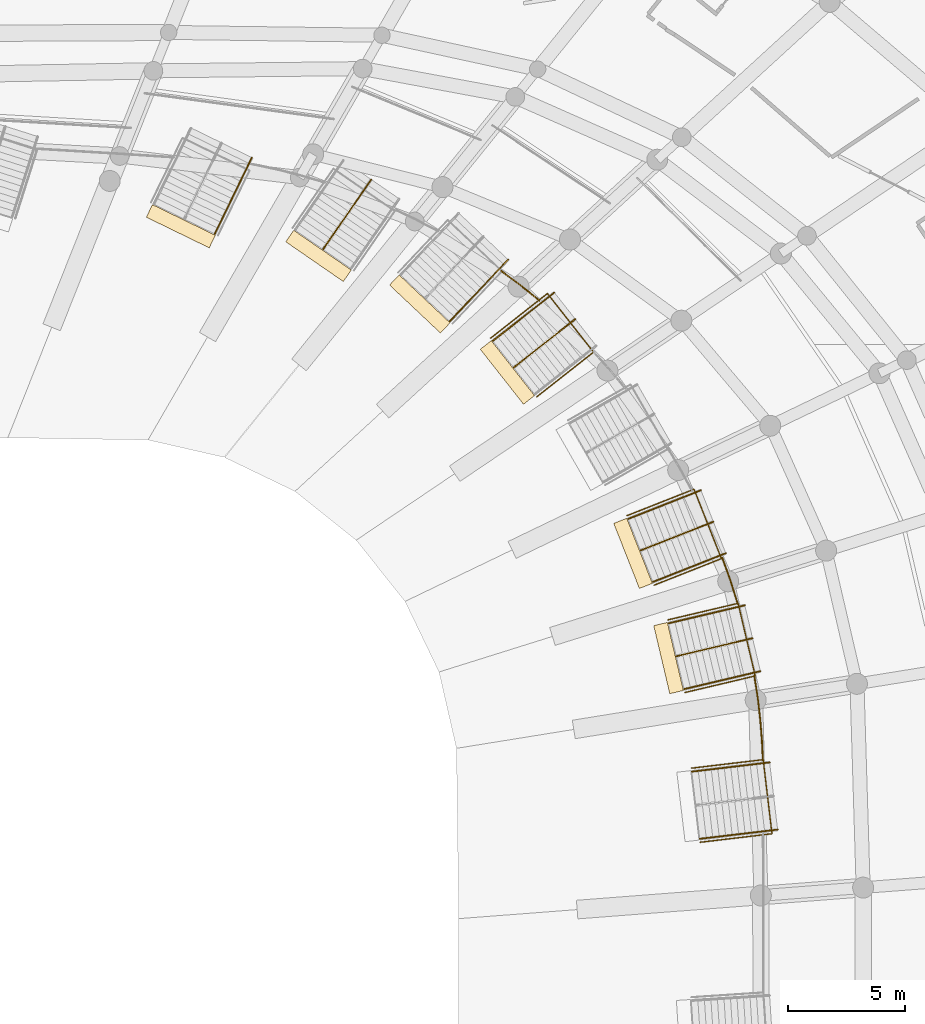
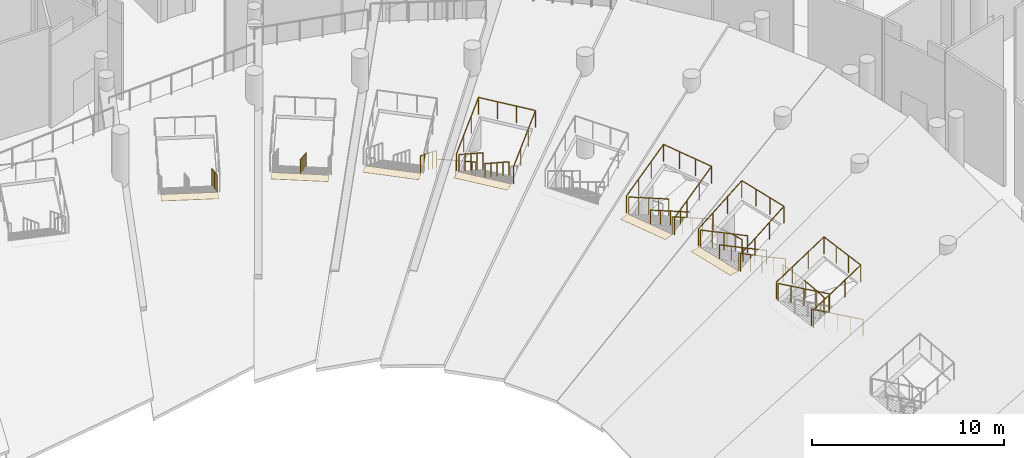
# One storey, part 240 of 255: 20 railings, 6 coverings.
"""IFC4 building model written with IfcOpenShell, lengths in metres."""

import ifcopenshell
import ifcopenshell.guid

model = None  # the IFC model being written
_history = None  # IfcOwnerHistory: only IFC2X3 demands one
_inside = {}  # id of a spatial element -> (the spatial element, [elements in it])
_under = {}  # id of a project, library or spatial element -> (it, [spatial elements below it])
_declared = {}  # id of a project -> (the project, [libraries it declares])
_typed = {}  # id of a type object -> (the type object, [elements of that type])
_made_of = {}  # id of a material, layer set ... -> (it, [elements and type objects made of it])


def new_model(schema):
    """Start an empty IFC model of exactly this schema.

    Asked for "IFC4X3", IfcOpenShell would pick the latest addendum, in which some entities
    have other attributes; the version numbers below select the first issue.
    IFC2X3 requires an IfcOwnerHistory on every rooted entity: one is made here for all.
    """
    global model, _history
    if schema == "IFC4X3":
        model = ifcopenshell.file(schema_version=(4, 3, 0, 0))
    else:
        model = ifcopenshell.file(schema=schema)
    _inside.clear()
    _under.clear()
    _declared.clear()
    _typed.clear()
    _made_of.clear()
    _history = None
    if model.schema == "IFC2X3":
        org = make("IfcOrganization", Name="unknown")
        user = make(
            "IfcPersonAndOrganization",
            ThePerson=make("IfcPerson", FamilyName="unknown"),
            TheOrganization=org,
        )
        app = make(
            "IfcApplication",
            ApplicationDeveloper=org,
            Version="unknown",
            ApplicationFullName="unknown",
            ApplicationIdentifier="unknown",
        )
        _history = make(
            "IfcOwnerHistory",
            OwningUser=user,
            OwningApplication=app,
            ChangeAction="ADDED",
            CreationDate=0,
        )
    return model


def make(cls, **values):
    """One entity of the class cls with the attributes given. An attribute that is None is left unset."""
    return model.create_entity(
        cls, **{name: value for name, value in values.items() if value is not None}
    )


def rooted(cls, **values):
    """An entity with a GlobalId (a new one), such as an element, a storey or a relation."""
    return make(cls, GlobalId=ifcopenshell.guid.new(), OwnerHistory=_history, **values)


def si_unit(unit_type, name, prefix=None):
    """IfcSIUnit, for example si_unit("LENGTHUNIT", "METRE", prefix="MILLI")."""
    return make("IfcSIUnit", UnitType=unit_type, Prefix=prefix, Name=name)


def assignment(units):
    """IfcUnitAssignment: the units of a project."""
    return None if units is None else make("IfcUnitAssignment", Units=units)


def point(xyz):
    """IfcCartesianPoint."""
    return None if xyz is None else make("IfcCartesianPoint", Coordinates=xyz)


def direction(xyz):
    """IfcDirection."""
    return None if xyz is None else make("IfcDirection", DirectionRatios=xyz)


def frame(location, z_axis=None, x_axis=None):
    """IfcAxis2Placement3D, a coordinate frame: its origin and axes. An axis left out is left unset."""
    return make(
        "IfcAxis2Placement3D",
        Location=point(location),
        Axis=direction(z_axis),
        RefDirection=direction(x_axis),
    )


def frame_2d(location, x_axis=None):
    """IfcAxis2Placement2D, a coordinate frame in the plane: its origin and x axis."""
    return make(
        "IfcAxis2Placement2D", Location=point(location), RefDirection=direction(x_axis)
    )


def origin():
    """The frame at (0, 0, 0) with its axes left unset."""
    return frame((0.0, 0.0, 0.0))


def origin_2d():
    """The frame at (0, 0) in the plane with its x axis left unset."""
    return frame_2d((0.0, 0.0))


def place(relative_to, where):
    """IfcLocalPlacement: puts the frame where relative to a parent placement (None: the world)."""
    return make(
        "IfcLocalPlacement", PlacementRelTo=relative_to, RelativePlacement=where
    )


def context(
    kind, dimensions, precision=None, world=None, true_north=None, identifier=None
):
    """IfcGeometricRepresentationContext, for example the 3D "Model" context."""
    return make(
        "IfcGeometricRepresentationContext",
        ContextIdentifier=identifier,
        ContextType=kind,
        CoordinateSpaceDimension=dimensions,
        Precision=precision,
        WorldCoordinateSystem=world,
        TrueNorth=true_north,
    )


def subcontext(parent, identifier, kind, view, scale=None):
    """IfcGeometricRepresentationSubContext, for example "Body" below "Model"."""
    return make(
        "IfcGeometricRepresentationSubContext",
        ContextIdentifier=identifier,
        ContextType=kind,
        ParentContext=parent,
        TargetScale=scale,
        TargetView=view,
    )


def project(units=None, contexts=None):
    """IfcProject with its units and contexts."""
    return rooted(
        "IfcProject",
        Name="project",
        RepresentationContexts=contexts,
        UnitsInContext=assignment(units),
    )


def spatial(cls, under=None, at=None, **own):
    """A site, building, storey or space (cls), placed at a placement, below another one or the project."""
    s = rooted(cls, ObjectPlacement=at, **own)
    if under is not None:
        _under.setdefault(under.id(), (under, []))[1].append(s)
    return s


def profile(cls, at=None, kind="AREA", **sizes):
    """A parametric profile (cls). Its sizes go by their IFC names, for example OverallWidth=200.0."""
    return make(cls, ProfileType=kind, Position=at, **sizes)


def rectangle(**sizes):
    """IfcRectangleProfileDef."""
    return profile("IfcRectangleProfileDef", **sizes)


def circle(**sizes):
    """IfcCircleProfileDef."""
    return profile("IfcCircleProfileDef", **sizes)


def extrude(swept, where, along, depth):
    """IfcExtrudedAreaSolid: the profile swept, set in the frame where, extruded along a direction by depth."""
    return make(
        "IfcExtrudedAreaSolid",
        SweptArea=swept,
        Position=where,
        ExtrudedDirection=direction(along),
        Depth=depth,
    )


def shape(context_of_items, identifier, shape_type, items):
    """IfcShapeRepresentation: the items that make up one representation, for example the "Body"."""
    return make(
        "IfcShapeRepresentation",
        ContextOfItems=context_of_items,
        RepresentationIdentifier=identifier,
        RepresentationType=shape_type,
        Items=items,
    )


def material(Name=None, Category=None):
    """IfcMaterial."""
    return make("IfcMaterial", Name=Name, Category=Category)


def layer(
    of_material, thickness, ventilated=None, Name=None, Category=None, Priority=None
):
    """IfcMaterialLayer: one layer of a wall or slab, of a material (None: an air gap)."""
    return make(
        "IfcMaterialLayer",
        Material=of_material,
        LayerThickness=thickness,
        IsVentilated=ventilated,
        Name=Name,
        Category=Category,
        Priority=Priority,
    )


def layer_set(layers, Name=None):
    """IfcMaterialLayerSet."""
    return make("IfcMaterialLayerSet", MaterialLayers=layers, LayerSetName=Name)


def made_of(thing, what):
    """Note that an element or type object is made of a material, layer set ...; save() writes the relation."""
    if what is not None:
        _made_of.setdefault(what.id(), (what, []))[1].append(thing)
    return thing


def type_object(cls, material=None, **own):
    """A type object (cls), such as IfcWallType, which elements share."""
    return made_of(rooted(cls, **own), material)


def element(
    cls,
    number,
    at=None,
    inside=None,
    cuts=None,
    type_object=None,
    material=None,
    context=None,
    identifier="Body",
    shape_type=None,
    held_by="IfcProductDefinitionShape",
    body=None,
    shapes=None,
    **own,
):
    """One element of the class cls, such as IfcWall. Its Tag is "e" and its number.

    at: its placement. inside: the storey or other place that contains it. cuts: it is an
    opening in that element (IfcRelVoidsElement). A single representation is given by context,
    identifier, shape_type and body (its items); several are given by shapes. held_by: the class
    of the entity that holds the representations. save() writes the other relations.
    """
    e = rooted(cls, Tag="e%d" % number, ObjectPlacement=at, **own)
    if body is not None:
        shapes = [shape(context, identifier, shape_type, body)]
    if shapes is not None:
        e.Representation = make(held_by, Representations=shapes)
    if inside is not None:
        _inside.setdefault(inside.id(), (inside, []))[1].append(e)
    if cuts is not None:
        rooted(
            "IfcRelVoidsElement", RelatingBuildingElement=cuts, RelatedOpeningElement=e
        )
    if type_object is not None:
        _typed.setdefault(type_object.id(), (type_object, []))[1].append(e)
    return made_of(e, material)


def aggregate(whole, parts):
    """IfcRelAggregates: a whole, such as a stair, and the parts it consists of."""
    return rooted("IfcRelAggregates", RelatingObject=whole, RelatedObjects=parts)


def save(model, path):
    """Write the relations noted so far, then the file.

    IfcRelAggregates (storeys below a building ...), IfcRelContainedInSpatialStructure (elements
    in a storey), IfcRelDefinesByType, IfcRelAssociatesMaterial and IfcRelDeclares: one each for
    every whole, place, type object, material and project.
    """
    for whole, parts in _under.values():
        aggregate(whole, parts)
    for where, things in _inside.values():
        rooted(
            "IfcRelContainedInSpatialStructure",
            RelatedElements=things,
            RelatingStructure=where,
        )
    for kind, things in _typed.values():
        rooted("IfcRelDefinesByType", RelatedObjects=things, RelatingType=kind)
    for what, things in _made_of.values():
        rooted("IfcRelAssociatesMaterial", RelatedObjects=things, RelatingMaterial=what)
    for by, libraries in _declared.values():
        rooted("IfcRelDeclares", RelatingContext=by, RelatedDefinitions=libraries)
    model.write(path)


model = new_model("IFC4")

# Units and contexts
model_context = context("Model", 3, precision=1e-05, world=origin(), true_north=direction((0.0, 1.0)))
body_context = subcontext(model_context, "Body", "Model", "MODEL_VIEW")
ifc_project = project(units=[si_unit("LENGTHUNIT", "METRE"), si_unit("AREAUNIT", "SQUARE_METRE"), si_unit("VOLUMEUNIT", "CUBIC_METRE"), si_unit("PLANEANGLEUNIT", "RADIAN"), si_unit("MASSUNIT", "GRAM", prefix="KILO")], contexts=[model_context])

# Site, building, storey
site_placement = place(None, origin())
site = spatial("IfcSite", under=ifc_project, at=site_placement, CompositionType="ELEMENT")
building_placement = place(site_placement, origin())
building = spatial("IfcBuilding", under=site, at=building_placement, Name="Meseta Stadium", CompositionType="ELEMENT")
storey_placement = place(building_placement, origin())
storey = spatial("IfcBuildingStorey", under=building, at=storey_placement, Name="L00", CompositionType="ELEMENT", Elevation=0.0)

# Railings
ifc_material_1 = material(Name="Steel S355", Category="steel")
railing_type_1 = type_object("IfcRailingType", Name="Plate edge guard 1100", PredefinedType="GUARDRAIL", material=ifc_material_1)
railing_1_placement = place(storey_placement, frame((54.049072265625, 46.1630859375, 0.0)))
element("IfcRailing", 1, at=railing_1_placement, inside=storey, type_object=railing_type_1, Name="L00 inner edge guard 10", PredefinedType="GUARDRAIL", context=body_context, shape_type="SweptSolid", body=[
    extrude(circle(Radius=0.02490234375, at=origin_2d()), frame((0.0, 0.0, 1.0751953125), z_axis=(-0.047537937473, 0.99886943316, 0.0), x_axis=(-0.99886943316, -0.047537937473, 0.0)), (0.0, 0.0, 1.0), 0.8525390625),
    extrude(circle(Radius=0.02490234375, at=origin_2d()), frame((-0.04052734375, 0.8515625, 1.0751953125), z_axis=(-0.080210130569, 0.99677797676, 0.0), x_axis=(-0.99677797676, -0.080210130569, 0.0)), (0.0, 0.0, 1.0), 0.876708984375),
    extrude(circle(Radius=0.02490234375, at=origin_2d()), frame((-0.11083984375, 1.725341796875, 1.0751953125), z_axis=(-0.112509767376, 0.993650618802, 0.0), x_axis=(-0.993650618802, -0.112509767376, 0.0)), (0.0, 0.0, 1.0), 0.876708984375),
    extrude(circle(Radius=0.02490234375, at=origin_2d()), frame((-0.20947265625, 2.596435546875, 1.0751953125), z_axis=(-0.150740722713, 0.988573332897, 0.0), x_axis=(-0.988573332897, -0.150740722713, 0.0)), (0.0, 0.0, 1.0), 1.059326171875),
    extrude(circle(Radius=0.02001953125, at=origin_2d()), origin(), (0.0, 0.0, 1.0), 1.050048828125),
    extrude(circle(Radius=0.02001953125, at=origin_2d()), frame((-0.04052734375, 0.8515625, 0.0)), (0.0, 0.0, 1.0), 1.050048828125),
    extrude(circle(Radius=0.02001953125, at=origin_2d()), frame((-0.11083984375, 1.725341796875, 0.0)), (0.0, 0.0, 1.0), 1.050048828125),
    extrude(circle(Radius=0.02001953125, at=origin_2d()), frame((-0.20947265625, 2.596435546875, 0.0)), (0.0, 0.0, 1.0), 1.050048828125),
    extrude(circle(Radius=0.02001953125, at=origin_2d()), frame((-0.369140625, 3.6435546875, 0.0)), (0.0, 0.0, 1.0), 1.050048828125),
])
railing_2_placement = place(storey_placement, frame((52.97314453125, 52.8662109375, 0.0)))
element("IfcRailing", 2, at=railing_2_placement, inside=storey, type_object=railing_type_1, Name="L00 inner edge guard 11", PredefinedType="GUARDRAIL", context=body_context, shape_type="SweptSolid", body=[
    extrude(circle(Radius=0.02490234375, at=origin_2d()), frame((0.0, 0.0, 1.0751953125), z_axis=(-0.298367036713, 0.954451209546, 0.0), x_axis=(-0.954451209546, -0.298367036713, 0.0)), (0.0, 0.0, 1.0), 1.05712890625),
    extrude(circle(Radius=0.02490234375, at=origin_2d()), frame((-0.3154296875, 1.009033203125, 1.0751953125), z_axis=(-0.339552833225, 0.940586983457, 0.0), x_axis=(-0.940586983457, -0.339552833225, 0.0)), (0.0, 0.0, 1.0), 1.047607421875),
    extrude(circle(Radius=0.02001953125, at=origin_2d()), origin(), (0.0, 0.0, 1.0), 1.050048828125),
    extrude(circle(Radius=0.02001953125, at=origin_2d()), frame((-0.3154296875, 1.009033203125, 0.0)), (0.0, 0.0, 1.0), 1.050048828125),
    extrude(circle(Radius=0.02001953125, at=origin_2d()), frame((-0.671142578125, 1.994384765625, 0.0)), (0.0, 0.0, 1.0), 1.050048828125),
])
railing_3_placement = place(storey_placement, frame((44.46728515625, 65.8798828125, 0.0)))
element("IfcRailing", 3, at=railing_3_placement, inside=storey, type_object=railing_type_1, Name="L00 inner edge guard 14", PredefinedType="GUARDRAIL", context=body_context, shape_type="SweptSolid", body=[
    extrude(circle(Radius=0.02490234375, at=origin_2d()), frame((0.0, 0.0, 1.0751953125), z_axis=(-0.759865787374, 0.650079983678, 0.0), x_axis=(-0.650079983678, -0.759865787374, 0.0)), (0.0, 0.0, 1.0), 0.197998046875),
    extrude(circle(Radius=0.02490234375, at=origin_2d()), frame((-0.150390625, 0.128662109375, 1.0751953125), z_axis=(-0.780706207846, 0.624898245341, 0.0), x_axis=(-0.624898245341, -0.780706207846, 0.0)), (0.0, 0.0, 1.0), 0.879150390625),
    extrude(circle(Radius=0.02490234375, at=origin_2d()), frame((-0.836669921875, 0.677978515625, 1.0751953125), z_axis=(-0.802947355475, 0.596049951208, 0.0), x_axis=(-0.596049951208, -0.802947355475, 0.0)), (0.0, 0.0, 1.0), 1.000732421875),
    extrude(circle(Radius=0.02001953125, at=origin_2d()), origin(), (0.0, 0.0, 1.0), 1.050048828125),
    extrude(circle(Radius=0.02001953125, at=origin_2d()), frame((-0.150390625, 0.128662109375, 0.0)), (0.0, 0.0, 1.0), 1.050048828125),
    extrude(circle(Radius=0.02001953125, at=origin_2d()), frame((-0.836669921875, 0.677978515625, 0.0)), (0.0, 0.0, 1.0), 1.050048828125),
    extrude(circle(Radius=0.02001953125, at=origin_2d()), frame((-1.64013671875, 1.2744140625, 0.0)), (0.0, 0.0, 1.0), 1.050048828125),
])

# Coverings
ifc_material_2 = material(Name="Stone paving", Category="masonry")
ifc_layer = layer(ifc_material_2, 0.02001953125)
ifc_layer_set = layer_set([ifc_layer], Name="Vomitory exit threshold plate 20")
covering_type = type_object("IfcCoveringType", Name="Vomitory exit threshold plate 20", PredefinedType="FLOORING", material=ifc_layer_set)
for number, where, z_axis, x_axis, name in (
    (4, (50.00439453125, 50.55224609375, 2.11767578125), (0.0, 0.0, 1.0), (-0.973256309483, -0.229721910255, 0.0), "Vomitory V-lower-10 exit threshold"),
    (5, (48.48193359375, 55.041748046875, 2.11767578125), (0.0, 0.0, 1.0), (-0.930263326339, -0.366892550576, 0.0), "Vomitory V-lower-11 exit threshold"),
    (6, (43.09228515625, 62.8017578125, 2.21875), (0.0, 0.0, 1.0), (-0.786141751877, -0.618046232862, 0.0), "Vomitory V-lower-13 exit threshold"),
    (7, (39.334716796875, 65.739013671875, 2.26904296875), (0.0, 0.0, 1.0), (-0.686064733008, -0.72754050205, 0.0), "Vomitory V-lower-14 exit threshold"),
    (8, (34.9912109375, 67.7998046875, 2.26806640625), (0.0, 0.0, 1.0), (-0.567899772853, -0.82309771473, 0.0), "Vomitory V-lower-15 exit threshold"),
    (9, (29.08740234375, 69.0712890625, 2.32080078125), (0.0, 0.0, 1.0), (-0.437966379942, -0.898991351483, 0.0), "Vomitory V-lower-16 exit threshold"),
):
    element("IfcCovering", number, at=place(storey_placement, frame(where, z_axis=z_axis, x_axis=x_axis)), inside=storey, type_object=covering_type, Name=name, PredefinedType="FLOORING", context=body_context, shape_type="SweptSolid", body=[
        extrude(rectangle(XDim=0.60009765625, YDim=3.0, at=origin_2d()), origin(), (0.0, 0.0, 1.0), 0.02001953125),
    ])

# Railings
ifc_material_3 = material(Name="Steel S355", Category="steel")
railing_type_2 = type_object("IfcRailingType", Name="Vomitory slot guard 1100", PredefinedType="GUARDRAIL", material=ifc_material_3)
railing_4_placement = place(storey_placement, frame((50.9833984375, 45.8291015625, 2.24853515625)))
element("IfcRailing", 10, at=railing_4_placement, inside=storey, type_object=railing_type_2, Name="Vomitory V-lower-09 slot guard", PredefinedType="GUARDRAIL", context=body_context, shape_type="SweptSolid", body=[
    extrude(circle(Radius=0.02490234375, at=origin_2d()), frame((0.0, 0.0, 1.0751953125), z_axis=(0.884609156729, 0.105095131793, 0.454336497659), x_axis=(-0.117974377502, 0.993016639464, 0.0)), (0.0, 0.0, 1.0), 3.47998046875),
    extrude(circle(Radius=0.02490234375, at=origin_2d()), frame((3.078369140625, 0.36572265625, 2.65625), z_axis=(0.117947803089, -0.993019796251, 0.0), x_axis=(0.993019796251, 0.117947803089, 0.0)), (0.0, 0.0, 1.0), 3.199951171875),
    extrude(circle(Radius=0.02490234375, at=origin_2d()), frame((3.455810546875, -2.81201171875, 2.65625), z_axis=(-0.884593898509, -0.105101654502, -0.454364695967), x_axis=(0.117983604359, -0.993015543233, 0.0)), (0.0, 0.0, 1.0), 3.479736328125),
    extrude(circle(Radius=0.02001953125, at=origin_2d()), origin(), (0.0, 0.0, 1.0), 1.050048828125),
    extrude(circle(Radius=0.02001953125, at=origin_2d()), frame((1.026123046875, 0.121826171875, 0.527099609375)), (0.0, 0.0, 1.0), 1.050048828125),
    extrude(circle(Radius=0.02001953125, at=origin_2d()), frame((2.05224609375, 0.243896484375, 1.053955078125)), (0.0, 0.0, 1.0), 1.050048828125),
    extrude(circle(Radius=0.02001953125, at=origin_2d()), frame((3.078369140625, 0.36572265625, 1.5810546875)), (0.0, 0.0, 1.0), 1.050048828125),
    extrude(circle(Radius=0.02001953125, at=origin_2d()), frame((3.2041015625, -0.693603515625, 1.5810546875)), (0.0, 0.0, 1.0), 1.050048828125),
    extrude(circle(Radius=0.02001953125, at=origin_2d()), frame((3.330078125, -1.752685546875, 1.5810546875)), (0.0, 0.0, 1.0), 1.050048828125),
    extrude(circle(Radius=0.02001953125, at=origin_2d()), frame((3.455810546875, -2.81201171875, 1.5810546875)), (0.0, 0.0, 1.0), 1.050048828125),
    extrude(circle(Radius=0.02001953125, at=origin_2d()), frame((2.4296875, -2.933837890625, 1.053955078125)), (0.0, 0.0, 1.0), 1.050048828125),
    extrude(circle(Radius=0.02001953125, at=origin_2d()), frame((1.40380859375, -3.055908203125, 0.527099609375)), (0.0, 0.0, 1.0), 1.050048828125),
    extrude(circle(Radius=0.02001953125, at=origin_2d()), frame((0.377685546875, -3.177734375, 0.0)), (0.0, 0.0, 1.0), 1.050048828125),
])
railing_5_placement = place(storey_placement, frame((49.968994140625, 52.187744140625, 2.1376953125)))
element("IfcRailing", 11, at=railing_5_placement, inside=storey, type_object=railing_type_2, Name="Vomitory V-lower-10 slot guard", PredefinedType="GUARDRAIL", context=body_context, shape_type="SweptSolid", body=[
    extrude(circle(Radius=0.02490234375, at=origin_2d()), frame((0.0, 0.0, 1.0751953125), z_axis=(0.867031302816, 0.204655309137, 0.454282868242), x_axis=(-0.229728447463, 0.973254766454, 0.0)), (0.0, 0.0, 1.0), 3.479736328125),
    extrude(circle(Radius=0.02490234375, at=origin_2d()), frame((3.01708984375, 0.712158203125, 2.65576171875), z_axis=(0.229732459273, -0.973253819492, 0.0), x_axis=(0.973253819492, 0.229732459273, 0.0)), (0.0, 0.0, 1.0), 3.199951171875),
    extrude(circle(Radius=0.02490234375, at=origin_2d()), frame((3.752197265625, -2.402099609375, 2.65576171875), z_axis=(-0.867031302816, -0.204655309137, -0.454282868242), x_axis=(0.229728447463, -0.973254766454, 0.0)), (0.0, 0.0, 1.0), 3.479736328125),
    extrude(circle(Radius=0.02001953125, at=origin_2d()), origin(), (0.0, 0.0, 1.0), 1.050048828125),
    extrude(circle(Radius=0.02001953125, at=origin_2d()), frame((1.005615234375, 0.2373046875, 0.52685546875)), (0.0, 0.0, 1.0), 1.050048828125),
    extrude(circle(Radius=0.02001953125, at=origin_2d()), frame((2.011474609375, 0.474853515625, 1.053955078125)), (0.0, 0.0, 1.0), 1.050048828125),
    extrude(circle(Radius=0.02001953125, at=origin_2d()), frame((3.01708984375, 0.712158203125, 1.580810546875)), (0.0, 0.0, 1.0), 1.050048828125),
    extrude(circle(Radius=0.02001953125, at=origin_2d()), frame((3.26220703125, -0.325927734375, 1.580810546875)), (0.0, 0.0, 1.0), 1.050048828125),
    extrude(circle(Radius=0.02001953125, at=origin_2d()), frame((3.507080078125, -1.364013671875, 1.580810546875)), (0.0, 0.0, 1.0), 1.050048828125),
    extrude(circle(Radius=0.02001953125, at=origin_2d()), frame((3.752197265625, -2.402099609375, 1.580810546875)), (0.0, 0.0, 1.0), 1.050048828125),
    extrude(circle(Radius=0.02001953125, at=origin_2d()), frame((2.74658203125, -2.639404296875, 1.053955078125)), (0.0, 0.0, 1.0), 1.050048828125),
    extrude(circle(Radius=0.02001953125, at=origin_2d()), frame((1.74072265625, -2.876953125, 0.52685546875)), (0.0, 0.0, 1.0), 1.050048828125),
    extrude(circle(Radius=0.02001953125, at=origin_2d()), frame((0.735107421875, -3.1142578125, 0.0)), (0.0, 0.0, 1.0), 1.050048828125),
])
railing_6_placement = place(storey_placement, frame((48.21240234375, 56.6552734375, 2.1376953125)))
element("IfcRailing", 12, at=railing_6_placement, inside=storey, type_object=railing_type_2, Name="Vomitory V-lower-11 slot guard", PredefinedType="GUARDRAIL", context=body_context, shape_type="SweptSolid", body=[
    extrude(circle(Radius=0.02490234375, at=origin_2d()), frame((0.0, 0.0, 1.0751953125), z_axis=(0.828742044114, 0.326810061081, 0.454292646092), x_axis=(-0.366850918645, 0.930279744748, 0.0)), (0.0, 0.0, 1.0), 3.479736328125),
    extrude(circle(Radius=0.02490234375, at=origin_2d()), frame((2.8837890625, 1.13720703125, 2.65576171875), z_axis=(0.366926787792, -0.930249822575, 0.0), x_axis=(0.930249822575, 0.366926787792, 0.0)), (0.0, 0.0, 1.0), 3.19970703125),
    extrude(circle(Radius=0.02490234375, at=origin_2d()), frame((4.057861328125, -1.83935546875, 2.65576171875), z_axis=(-0.828745013514, -0.326853721998, -0.454255816685), x_axis=(0.366892194359, -0.93026346683, 0.0)), (0.0, 0.0, 1.0), 3.47998046875),
    extrude(circle(Radius=0.02001953125, at=origin_2d()), origin(), (0.0, 0.0, 1.0), 1.050048828125),
    extrude(circle(Radius=0.02001953125, at=origin_2d()), frame((0.961181640625, 0.379150390625, 0.52685546875)), (0.0, 0.0, 1.0), 1.050048828125),
    extrude(circle(Radius=0.02001953125, at=origin_2d()), frame((1.922607421875, 0.758056640625, 1.053955078125)), (0.0, 0.0, 1.0), 1.050048828125),
    extrude(circle(Radius=0.02001953125, at=origin_2d()), frame((2.8837890625, 1.13720703125, 1.580810546875)), (0.0, 0.0, 1.0), 1.050048828125),
    extrude(circle(Radius=0.02001953125, at=origin_2d()), frame((3.275146484375, 0.14501953125, 1.580810546875)), (0.0, 0.0, 1.0), 1.050048828125),
    extrude(circle(Radius=0.02001953125, at=origin_2d()), frame((3.66650390625, -0.84716796875, 1.580810546875)), (0.0, 0.0, 1.0), 1.050048828125),
    extrude(circle(Radius=0.02001953125, at=origin_2d()), frame((4.057861328125, -1.83935546875, 1.580810546875)), (0.0, 0.0, 1.0), 1.050048828125),
    extrude(circle(Radius=0.02001953125, at=origin_2d()), frame((3.096435546875, -2.218505859375, 1.053955078125)), (0.0, 0.0, 1.0), 1.050048828125),
    extrude(circle(Radius=0.02001953125, at=origin_2d()), frame((2.13525390625, -2.59765625, 0.52685546875)), (0.0, 0.0, 1.0), 1.050048828125),
    extrude(circle(Radius=0.02001953125, at=origin_2d()), frame((1.173828125, -2.976806640625, 0.0)), (0.0, 0.0, 1.0), 1.050048828125),
])
railing_7_placement = place(storey_placement, frame((42.371826171875, 64.2705078125, 2.23876953125)))
element("IfcRailing", 13, at=railing_7_placement, inside=storey, type_object=railing_type_2, Name="Vomitory V-lower-13 slot guard", PredefinedType="GUARDRAIL", context=body_context, shape_type="SweptSolid", body=[
    extrude(circle(Radius=0.02490234375, at=origin_2d()), frame((0.0, 0.0, 1.0751953125), z_axis=(0.700355252069, 0.550559773891, 0.454297761686), x_axis=(-0.618016316891, 0.786165270193, 0.0)), (0.0, 0.0, 1.0), 3.479736328125),
    extrude(circle(Radius=0.02490234375, at=origin_2d()), frame((2.43701171875, 1.915771484375, 2.65576171875), z_axis=(0.618057385598, -0.78613298373, 0.0), x_axis=(0.78613298373, 0.618057385598, 0.0)), (0.0, 0.0, 1.0), 3.199951171875),
    extrude(circle(Radius=0.02490234375, at=origin_2d()), frame((4.414794921875, -0.599853515625, 2.65576171875), z_axis=(-0.700355252069, -0.550559773891, -0.454297761686), x_axis=(0.618016316891, -0.786165270193, 0.0)), (0.0, 0.0, 1.0), 3.479736328125),
    extrude(circle(Radius=0.02001953125, at=origin_2d()), origin(), (0.0, 0.0, 1.0), 1.050048828125),
    extrude(circle(Radius=0.02001953125, at=origin_2d()), frame((0.812255859375, 0.638671875, 0.52685546875)), (0.0, 0.0, 1.0), 1.050048828125),
    extrude(circle(Radius=0.02001953125, at=origin_2d()), frame((1.624755859375, 1.277099609375, 1.053955078125)), (0.0, 0.0, 1.0), 1.050048828125),
    extrude(circle(Radius=0.02001953125, at=origin_2d()), frame((2.43701171875, 1.915771484375, 1.580810546875)), (0.0, 0.0, 1.0), 1.050048828125),
    extrude(circle(Radius=0.02001953125, at=origin_2d()), frame((3.09619140625, 1.0771484375, 1.580810546875)), (0.0, 0.0, 1.0), 1.050048828125),
    extrude(circle(Radius=0.02001953125, at=origin_2d()), frame((3.755615234375, 0.23876953125, 1.580810546875)), (0.0, 0.0, 1.0), 1.050048828125),
    extrude(circle(Radius=0.02001953125, at=origin_2d()), frame((4.414794921875, -0.599853515625, 1.580810546875)), (0.0, 0.0, 1.0), 1.050048828125),
    extrude(circle(Radius=0.02001953125, at=origin_2d()), frame((3.6025390625, -1.238525390625, 1.053955078125)), (0.0, 0.0, 1.0), 1.050048828125),
    extrude(circle(Radius=0.02001953125, at=origin_2d()), frame((2.7900390625, -1.876953125, 0.52685546875)), (0.0, 0.0, 1.0), 1.050048828125),
    extrude(circle(Radius=0.02001953125, at=origin_2d()), frame((1.977783203125, -2.515625, 0.0)), (0.0, 0.0, 1.0), 1.050048828125),
])
ifc_material_4 = material(Name="Steel S355", Category="steel")
railing_type_3 = type_object("IfcRailingType", Name="Vomitory stair guard 1100", PredefinedType="GUARDRAIL", material=ifc_material_4)
for number, where, name in (
    (14, (54.6796875, 43.19677734375, 0.173095703125), "Vomitory V-lower-09 guard left"),
    (15, (54.337646484375, 46.07666015625, 0.173095703125), "Vomitory V-lower-09 guard right"),
):
    element("IfcRailing", number, at=place(storey_placement, frame(where)), inside=storey, type_object=railing_type_3, Name=name, PredefinedType="GUARDRAIL", context=body_context, shape_type="SweptSolid", body=[
        extrude(circle(Radius=0.02490234375, at=origin_2d()), frame((0.0, 0.0, 1.0751953125), z_axis=(-0.844830304724, -0.100395464282, 0.525530690799), x_axis=(0.118004767911, -0.99301302849, 0.0)), (0.0, 0.0, 1.0), 3.94921875),
        extrude(circle(Radius=0.02001953125, at=origin_2d()), origin(), (0.0, 0.0, 1.0), 1.050048828125),
        extrude(circle(Radius=0.02001953125, at=origin_2d()), frame((-0.833984375, -0.09912109375, 0.518798828125)), (0.0, 0.0, 1.0), 1.050048828125),
        extrude(circle(Radius=0.02001953125, at=origin_2d()), frame((-1.668212890625, -0.1982421875, 1.03759765625)), (0.0, 0.0, 1.0), 1.050048828125),
        extrude(circle(Radius=0.02001953125, at=origin_2d()), frame((-2.50244140625, -0.29736328125, 1.556640625)), (0.0, 0.0, 1.0), 1.050048828125),
        extrude(circle(Radius=0.02001953125, at=origin_2d()), frame((-3.33642578125, -0.396484375, 2.075439453125)), (0.0, 0.0, 1.0), 1.050048828125),
    ])
railing_8_placement = place(storey_placement, frame((53.939697265625, 49.9912109375, 0.164306640625)))
element("IfcRailing", 16, at=railing_8_placement, inside=storey, type_object=railing_type_3, Name="Vomitory V-lower-10 guard left", PredefinedType="GUARDRAIL", context=body_context, shape_type="SweptSolid", body=[
    extrude(circle(Radius=0.02490234375, at=origin_2d()), frame((0.0, 0.0, 1.0751953125), z_axis=(-0.839234260702, -0.198045501909, 0.506422585237), x_axis=(0.229675110704, -0.973267354596, 0.0)), (0.0, 0.0, 1.0), 3.896728515625),
    extrude(circle(Radius=0.02001953125, at=origin_2d()), origin(), (0.0, 0.0, 1.0), 1.050048828125),
    extrude(circle(Radius=0.02001953125, at=origin_2d()), frame((-0.817626953125, -0.19287109375, 0.493408203125)), (0.0, 0.0, 1.0), 1.050048828125),
    extrude(circle(Radius=0.02001953125, at=origin_2d()), frame((-1.63525390625, -0.3857421875, 0.98681640625)), (0.0, 0.0, 1.0), 1.050048828125),
    extrude(circle(Radius=0.02001953125, at=origin_2d()), frame((-2.45263671875, -0.578857421875, 1.47998046875)), (0.0, 0.0, 1.0), 1.050048828125),
    extrude(circle(Radius=0.02001953125, at=origin_2d()), frame((-3.270263671875, -0.771728515625, 1.973388671875)), (0.0, 0.0, 1.0), 1.050048828125),
])
railing_9_placement = place(storey_placement, frame((53.2734375, 52.813720703125, 0.164306640625)))
element("IfcRailing", 17, at=railing_9_placement, inside=storey, type_object=railing_type_3, Name="Vomitory V-lower-10 guard right", PredefinedType="GUARDRAIL", context=body_context, shape_type="SweptSolid", body=[
    extrude(circle(Radius=0.02490234375, at=origin_2d()), frame((0.0, 0.0, 1.0751953125), z_axis=(-0.839205318068, -0.198116112866, 0.50644292862), x_axis=(0.229760182467, -0.973247275132, 0.0)), (0.0, 0.0, 1.0), 3.896484375),
    extrude(circle(Radius=0.02001953125, at=origin_2d()), origin(), (0.0, 0.0, 1.0), 1.050048828125),
    extrude(circle(Radius=0.02001953125, at=origin_2d()), frame((-0.8173828125, -0.19287109375, 0.493408203125)), (0.0, 0.0, 1.0), 1.050048828125),
    extrude(circle(Radius=0.02001953125, at=origin_2d()), frame((-1.635009765625, -0.385986328125, 0.98681640625)), (0.0, 0.0, 1.0), 1.050048828125),
    extrude(circle(Radius=0.02001953125, at=origin_2d()), frame((-2.45263671875, -0.5791015625, 1.47998046875)), (0.0, 0.0, 1.0), 1.050048828125),
    extrude(circle(Radius=0.02001953125, at=origin_2d()), frame((-3.27001953125, -0.77197265625, 1.973388671875)), (0.0, 0.0, 1.0), 1.050048828125),
])
railing_10_placement = place(storey_placement, frame((52.45703125, 55.05078125, 0.164306640625)))
element("IfcRailing", 18, at=railing_10_placement, inside=storey, type_object=railing_type_3, Name="Vomitory V-lower-11 guard left", PredefinedType="GUARDRAIL", context=body_context, shape_type="SweptSolid", body=[
    extrude(circle(Radius=0.02490234375, at=origin_2d()), frame((0.0, 0.0, 1.0751953125), z_axis=(-0.80215755683, -0.316339412984, 0.506431268598), x_axis=(0.366863769713, -0.930274676895, 0.0)), (0.0, 0.0, 1.0), 3.896728515625),
    extrude(circle(Radius=0.02001953125, at=origin_2d()), origin(), (0.0, 0.0, 1.0), 1.050048828125),
    extrude(circle(Radius=0.02001953125, at=origin_2d()), frame((-0.781494140625, -0.30810546875, 0.493408203125)), (0.0, 0.0, 1.0), 1.050048828125),
    extrude(circle(Radius=0.02001953125, at=origin_2d()), frame((-1.56298828125, -0.6162109375, 0.98681640625)), (0.0, 0.0, 1.0), 1.050048828125),
    extrude(circle(Radius=0.02001953125, at=origin_2d()), frame((-2.34423828125, -0.924560546875, 1.47998046875)), (0.0, 0.0, 1.0), 1.050048828125),
    extrude(circle(Radius=0.02001953125, at=origin_2d()), frame((-3.125732421875, -1.232666015625, 1.973388671875)), (0.0, 0.0, 1.0), 1.050048828125),
])
railing_11_placement = place(storey_placement, frame((51.39306640625, 57.74853515625, 0.164306640625)))
element("IfcRailing", 19, at=railing_11_placement, inside=storey, type_object=railing_type_3, Name="Vomitory V-lower-11 guard right", PredefinedType="GUARDRAIL", context=body_context, shape_type="SweptSolid", body=[
    extrude(circle(Radius=0.02490234375, at=origin_2d()), frame((0.0, 0.0, 1.0751953125), z_axis=(-0.802141657054, -0.31639579537, 0.50642123049), x_axis=(0.366926648548, -0.930249877498, 0.0)), (0.0, 0.0, 1.0), 3.896728515625),
    extrude(circle(Radius=0.02001953125, at=origin_2d()), origin(), (0.0, 0.0, 1.0), 1.050048828125),
    extrude(circle(Radius=0.02001953125, at=origin_2d()), frame((-0.781494140625, -0.30810546875, 0.493408203125)), (0.0, 0.0, 1.0), 1.050048828125),
    extrude(circle(Radius=0.02001953125, at=origin_2d()), frame((-1.56298828125, -0.616455078125, 0.98681640625)), (0.0, 0.0, 1.0), 1.050048828125),
    extrude(circle(Radius=0.02001953125, at=origin_2d()), frame((-2.34423828125, -0.9248046875, 1.47998046875)), (0.0, 0.0, 1.0), 1.050048828125),
    extrude(circle(Radius=0.02001953125, at=origin_2d()), frame((-3.125732421875, -1.23291015625, 1.973388671875)), (0.0, 0.0, 1.0), 1.050048828125),
])
railing_12_placement = place(storey_placement, frame((45.10595703125, 66.229248046875, 0.172119140625)))
element("IfcRailing", 20, at=railing_12_placement, inside=storey, type_object=railing_type_3, Name="Vomitory V-lower-13 guard right", PredefinedType="GUARDRAIL", context=body_context, shape_type="SweptSolid", body=[
    extrude(circle(Radius=0.02490234375, at=origin_2d()), frame((0.0, 0.0, 1.0751953125), z_axis=(-0.669603580808, -0.526448660537, 0.523911111151), x_axis=(0.61806220124, -0.78612919765, 0.0)), (0.0, 0.0, 1.0), 3.944580078125),
    extrude(circle(Radius=0.02001953125, at=origin_2d()), origin(), (0.0, 0.0, 1.0), 1.050048828125),
    extrude(circle(Radius=0.02001953125, at=origin_2d()), frame((-0.660400390625, -0.51904296875, 0.5166015625)), (0.0, 0.0, 1.0), 1.050048828125),
    extrude(circle(Radius=0.02001953125, at=origin_2d()), frame((-1.32080078125, -1.038330078125, 1.033203125)), (0.0, 0.0, 1.0), 1.050048828125),
    extrude(circle(Radius=0.02001953125, at=origin_2d()), frame((-1.98095703125, -1.5576171875, 1.550048828125)), (0.0, 0.0, 1.0), 1.050048828125),
    extrude(circle(Radius=0.02001953125, at=origin_2d()), frame((-2.641357421875, -2.07666015625, 2.066650390625)), (0.0, 0.0, 1.0), 1.050048828125),
])
railing_13_placement = place(storey_placement, frame((43.120849609375, 67.640869140625, 0.16357421875)))
element("IfcRailing", 21, at=railing_13_placement, inside=storey, type_object=railing_type_3, Name="Vomitory V-lower-14 guard left", PredefinedType="GUARDRAIL", context=body_context, shape_type="SweptSolid", body=[
    extrude(circle(Radius=0.02490234375, at=origin_2d()), frame((0.0, 0.0, 1.0751953125), z_axis=(-0.592444720752, -0.628296053447, 0.504235383602), x_axis=(0.727559755057, -0.686044315494, 0.0)), (0.0, 0.0, 1.0), 4.21533203125),
    extrude(circle(Radius=0.02001953125, at=origin_2d()), origin(), (0.0, 0.0, 1.0), 1.050048828125),
    extrude(circle(Radius=0.02001953125, at=origin_2d()), frame((-0.624267578125, -0.662109375, 0.53125)), (0.0, 0.0, 1.0), 1.050048828125),
    extrude(circle(Radius=0.02001953125, at=origin_2d()), frame((-1.24853515625, -1.32421875, 1.062744140625)), (0.0, 0.0, 1.0), 1.050048828125),
    extrude(circle(Radius=0.02001953125, at=origin_2d()), frame((-1.873046875, -1.986328125, 1.59423828125)), (0.0, 0.0, 1.0), 1.050048828125),
    extrude(circle(Radius=0.02001953125, at=origin_2d()), frame((-2.497314453125, -2.6484375, 2.12548828125)), (0.0, 0.0, 1.0), 1.050048828125),
])
railing_14_placement = place(storey_placement, frame((32.134521484375, 72.01513671875, 0.167236328125)))
element("IfcRailing", 22, at=railing_14_placement, inside=storey, type_object=railing_type_3, Name="Vomitory V-lower-16 guard left", PredefinedType="GUARDRAIL", context=body_context, shape_type="SweptSolid", body=[
    extrude(circle(Radius=0.02490234375, at=origin_2d()), frame((0.0, 0.0, 1.0751953125), z_axis=(-0.376042835266, -0.771837997102, 0.512696686428), x_axis=(0.898981065754, -0.437987492306, 0.0)), (0.0, 0.0, 1.0), 4.239501953125),
    extrude(circle(Radius=0.02001953125, at=origin_2d()), origin(), (0.0, 0.0, 1.0), 1.050048828125),
    extrude(circle(Radius=0.02001953125, at=origin_2d()), frame((-0.3984375, -0.818115234375, 0.54345703125)), (0.0, 0.0, 1.0), 1.050048828125),
    extrude(circle(Radius=0.02001953125, at=origin_2d()), frame((-0.797119140625, -1.63623046875, 1.0869140625)), (0.0, 0.0, 1.0), 1.050048828125),
    extrude(circle(Radius=0.02001953125, at=origin_2d()), frame((-1.19580078125, -2.4541015625, 1.630126953125)), (0.0, 0.0, 1.0), 1.050048828125),
    extrude(circle(Radius=0.02001953125, at=origin_2d()), frame((-1.59423828125, -3.272216796875, 2.173583984375)), (0.0, 0.0, 1.0), 1.050048828125),
])
ifc_material_5 = material(Name="Steel S355", Category="steel")
railing_type_4 = type_object("IfcRailingType", Name="Vomitory stair handrail 900", PredefinedType="HANDRAIL", material=ifc_material_5)
railing_15_placement = place(storey_placement, frame((53.606689453125, 51.402587890625, 0.164306640625)))
element("IfcRailing", 23, at=railing_15_placement, inside=storey, type_object=railing_type_4, Name="Vomitory V-lower-10 central handrail", PredefinedType="HANDRAIL", context=body_context, shape_type="SweptSolid", body=[
    extrude(circle(Radius=0.02490234375, at=origin_2d()), frame((0.0, 0.0, 0.875), z_axis=(-0.839223845941, -0.19810569622, 0.506416300615), x_axis=(0.229743935175, -0.973251110583, 0.0)), (0.0, 0.0, 1.0), 3.896728515625),
    extrude(circle(Radius=0.02001953125, at=origin_2d()), origin(), (0.0, 0.0, 1.0), 0.849853515625),
    extrude(circle(Radius=0.02001953125, at=origin_2d()), frame((-0.817626953125, -0.19287109375, 0.493408203125)), (0.0, 0.0, 1.0), 0.849853515625),
    extrude(circle(Radius=0.02001953125, at=origin_2d()), frame((-1.63525390625, -0.385986328125, 0.98681640625)), (0.0, 0.0, 1.0), 0.849853515625),
    extrude(circle(Radius=0.02001953125, at=origin_2d()), frame((-2.45263671875, -0.5791015625, 1.47998046875)), (0.0, 0.0, 1.0), 0.849853515625),
    extrude(circle(Radius=0.02001953125, at=origin_2d()), frame((-3.270263671875, -0.77197265625, 1.973388671875)), (0.0, 0.0, 1.0), 0.849853515625),
])
railing_16_placement = place(storey_placement, frame((51.925048828125, 56.399658203125, 0.164306640625)))
element("IfcRailing", 24, at=railing_16_placement, inside=storey, type_object=railing_type_4, Name="Vomitory V-lower-11 central handrail", PredefinedType="HANDRAIL", context=body_context, shape_type="SweptSolid", body=[
    extrude(circle(Radius=0.02490234375, at=origin_2d()), frame((0.0, 0.0, 0.875), z_axis=(-0.80215755683, -0.316339412984, 0.506431268598), x_axis=(0.366863769713, -0.930274676895, 0.0)), (0.0, 0.0, 1.0), 3.896728515625),
    extrude(circle(Radius=0.02001953125, at=origin_2d()), origin(), (0.0, 0.0, 1.0), 0.849853515625),
    extrude(circle(Radius=0.02001953125, at=origin_2d()), frame((-0.781494140625, -0.30810546875, 0.493408203125)), (0.0, 0.0, 1.0), 0.849853515625),
    extrude(circle(Radius=0.02001953125, at=origin_2d()), frame((-1.56298828125, -0.6162109375, 0.98681640625)), (0.0, 0.0, 1.0), 0.849853515625),
    extrude(circle(Radius=0.02001953125, at=origin_2d()), frame((-2.34423828125, -0.924560546875, 1.47998046875)), (0.0, 0.0, 1.0), 0.849853515625),
    extrude(circle(Radius=0.02001953125, at=origin_2d()), frame((-3.125732421875, -1.232666015625, 1.973388671875)), (0.0, 0.0, 1.0), 0.849853515625),
])
railing_17_placement = place(storey_placement, frame((46.002197265625, 65.08935546875, 0.172119140625)))
element("IfcRailing", 25, at=railing_17_placement, inside=storey, type_object=railing_type_4, Name="Vomitory V-lower-13 central handrail", PredefinedType="HANDRAIL", context=body_context, shape_type="SweptSolid", body=[
    extrude(circle(Radius=0.02490234375, at=origin_2d()), frame((0.0, 0.0, 0.875), z_axis=(-0.66963771993, -0.526426843413, 0.523889399188), x_axis=(0.618026897901, -0.786156952186, 0.0)), (0.0, 0.0, 1.0), 3.94482421875),
    extrude(circle(Radius=0.02001953125, at=origin_2d()), origin(), (0.0, 0.0, 1.0), 0.849853515625),
    extrude(circle(Radius=0.02001953125, at=origin_2d()), frame((-0.660400390625, -0.51904296875, 0.5166015625)), (0.0, 0.0, 1.0), 0.849853515625),
    extrude(circle(Radius=0.02001953125, at=origin_2d()), frame((-1.32080078125, -1.038330078125, 1.033203125)), (0.0, 0.0, 1.0), 0.849853515625),
    extrude(circle(Radius=0.02001953125, at=origin_2d()), frame((-1.981201171875, -1.5576171875, 1.550048828125)), (0.0, 0.0, 1.0), 0.849853515625),
    extrude(circle(Radius=0.02001953125, at=origin_2d()), frame((-2.6416015625, -2.07666015625, 2.066650390625)), (0.0, 0.0, 1.0), 0.849853515625),
])
railing_18_placement = place(storey_placement, frame((37.251953125, 71.07666015625, 0.163330078125)))
element("IfcRailing", 26, at=railing_18_placement, inside=storey, type_object=railing_type_4, Name="Vomitory V-lower-15 central handrail", PredefinedType="HANDRAIL", context=body_context, shape_type="SweptSolid", body=[
    extrude(circle(Radius=0.02490234375, at=origin_2d()), frame((0.0, 0.0, 0.875), z_axis=(-0.490451930686, -0.710856985164, 0.504122257324), x_axis=(0.823101434641, -0.567894381283, 0.0)), (0.0, 0.0, 1.0), 4.21484375),
    extrude(circle(Radius=0.02001953125, at=origin_2d()), origin(), (0.0, 0.0, 1.0), 0.849853515625),
    extrude(circle(Radius=0.02001953125, at=origin_2d()), frame((-0.516845703125, -0.7490234375, 0.53125)), (0.0, 0.0, 1.0), 0.849853515625),
    extrude(circle(Radius=0.02001953125, at=origin_2d()), frame((-1.03369140625, -1.498046875, 1.0625)), (0.0, 0.0, 1.0), 0.849853515625),
    extrude(circle(Radius=0.02001953125, at=origin_2d()), frame((-1.55029296875, -2.2470703125, 1.593505859375)), (0.0, 0.0, 1.0), 0.849853515625),
    extrude(circle(Radius=0.02001953125, at=origin_2d()), frame((-2.067138671875, -2.99609375, 2.124755859375)), (0.0, 0.0, 1.0), 0.849853515625),
])

save(model, "model.ifc")
